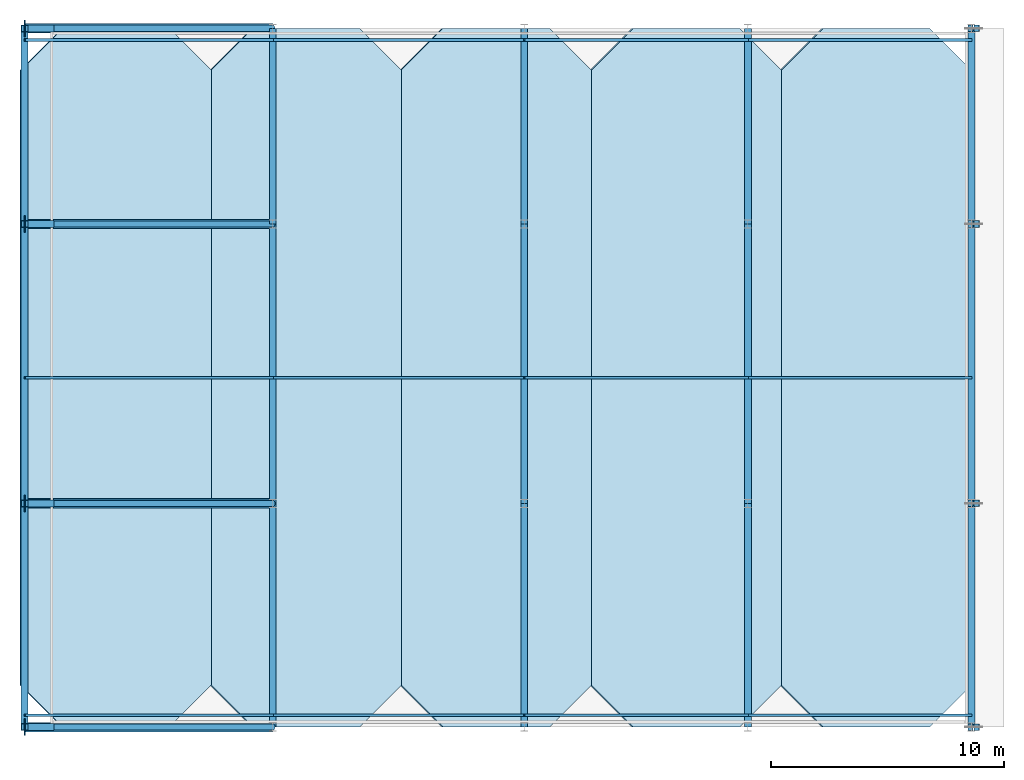
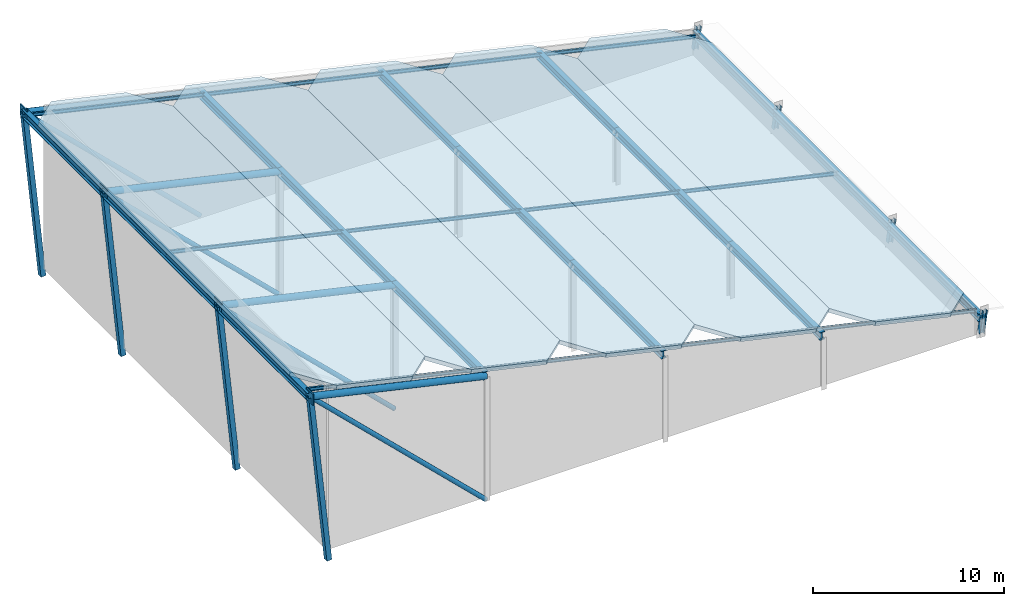
# One storey, part 2 of 4: 28 members, 15 beams, 5 slabs, 4 plates, 1 element without a shape of its own.
"""IFC4 building model written with IfcOpenShell, lengths in metres."""

from ifc_helpers import new_model, si_unit, direction, frame, origin, origin_2d, place, context, subcontext, project, spatial, polyline, rectangle, hollow_rectangle, hollow_circle, i_section, outline, extrude, material, layer, layer_set, material_profile, profile_set, type_object, element, aggregate, save


model = new_model("IFC4")

# Units and contexts
model_context = context("Model", 3, precision=1e-05, world=origin(), true_north=direction((0.0, 1.0)))
body_context = subcontext(model_context, "Body", "Model", "MODEL_VIEW")
ifc_project = project(units=[si_unit("LENGTHUNIT", "METRE"), si_unit("AREAUNIT", "SQUARE_METRE"), si_unit("VOLUMEUNIT", "CUBIC_METRE"), si_unit("PLANEANGLEUNIT", "RADIAN"), si_unit("MASSUNIT", "GRAM", prefix="KILO")], contexts=[model_context])

# Site, building, storey
site_placement = place(None, origin())
site = spatial("IfcSite", under=ifc_project, at=site_placement, CompositionType="ELEMENT")
building_placement = place(site_placement, origin())
building = spatial("IfcBuilding", under=site, at=building_placement, Name="Zereglee Splitstone Museum", CompositionType="ELEMENT")
storey_placement = place(building_placement, frame((0.0, 0.0, 29.699951171875)))
storey = spatial("IfcBuildingStorey", under=building, at=storey_placement, Name="RF", CompositionType="ELEMENT", Elevation=29.699951171875)

# Members
ifc_material_1 = material(Name="Steel S355J2H", Category="steel")
ifc_material_profile_1 = material_profile(ifc_material_1, hollow_circle(Radius=0.136474609375, WallThickness=0.012451171875, at=origin_2d()), Name="CHS 273.0x12.5")
ifc_profile_set_1 = profile_set([ifc_material_profile_1], Name="Steel S355J2H")
member_type_1 = type_object("IfcMemberType", Name="TB-01", PredefinedType="BRACE", material=ifc_profile_set_1)
for number, where, z_axis, x_axis, name in (
    (1, (9.60009765625, 0.0, 0.0), (-0.718353626168, 0.0, 0.695678135183), (0.0, -1.0, 0.0), "Crown Cantilever Raking Brace 1"),
    (2, (9.60009765625, 9.60009765625, 0.0), (-0.718353626168, 0.0, 0.695678135183), (0.0, -1.0, 0.0), "Crown Cantilever Raking Brace 2"),
    (3, (9.60009765625, 21.60009765625, 0.0), (-0.718353626168, 0.0, 0.695678135183), (0.0, -1.0, 0.0), "Crown Cantilever Raking Brace 3"),
    (4, (9.60009765625, 30.0, 0.0), (-0.718353626168, 0.0, 0.695678135183), (0.0, -1.0, 0.0), "Crown Cantilever Raking Brace 4"),
):
    element("IfcMember", number, at=place(storey_placement, frame(where, z_axis=z_axis, x_axis=x_axis)), inside=storey, type_object=member_type_1, Name=name, PredefinedType="BRACE", context=body_context, shape_type="SweptSolid", body=[
        extrude(hollow_circle(Radius=0.136474609375, WallThickness=0.012451171875, at=origin_2d()), origin(), (0.0, 0.0, 1.0), 14.82568359375),
    ])
ifc_material_profile_2 = material_profile(ifc_material_1, hollow_circle(Radius=0.203125, WallThickness=0.02001953125, at=origin_2d()), Name="CHS 406.4x20")
ifc_profile_set_2 = profile_set([ifc_material_profile_2], Name="Steel S355J2H")
member_type_2 = type_object("IfcMemberType", Name="TC-03", PredefinedType="CHORD", material=ifc_profile_set_2)
for number, where, z_axis, x_axis, name in (
    (5, (-1.050048828125, 0.0, 10.31396484375), (0.975505124621, 0.0, -0.219976707491), (0.0, 1.0, 0.0), "Crown Cantilever Raking Top Chord 1"),
    (6, (-1.050048828125, 9.60009765625, 10.31396484375), (0.975505124621, 0.0, -0.219976707491), (0.0, 1.0, 0.0), "Crown Cantilever Raking Top Chord 2"),
    (7, (-1.050048828125, 21.60009765625, 10.31396484375), (0.975505124621, 0.0, -0.219976707491), (0.0, 1.0, 0.0), "Crown Cantilever Raking Top Chord 3"),
    (8, (-1.050048828125, 30.0, 10.31396484375), (0.975505124621, 0.0, -0.219976707491), (0.0, 1.0, 0.0), "Crown Cantilever Raking Top Chord 4"),
):
    element("IfcMember", number, at=place(storey_placement, frame(where, z_axis=z_axis, x_axis=x_axis)), inside=storey, type_object=member_type_2, Name=name, PredefinedType="CHORD", context=body_context, shape_type="SweptSolid", body=[
        extrude(hollow_circle(Radius=0.203125, WallThickness=0.02001953125, at=origin_2d()), origin(), (0.0, 0.0, 1.0), 10.91748046875),
    ])
ifc_material_profile_3 = material_profile(ifc_material_1, hollow_rectangle(XDim=0.300048828125, YDim=0.300048828125, WallThickness=0.01611328125, at=origin_2d()), Name="SHS 300x300x16")
ifc_profile_set_3 = profile_set([ifc_material_profile_3], Name="Steel S355J2H")
member_type_3 = type_object("IfcMemberType", Name="TP-01", PredefinedType="POST", material=ifc_profile_set_3)
for number, where, z_axis, x_axis, name in (
    (9, (0.050048828125, 0.0, -0.47998046875), (-0.1013927938, 0.0, 0.994846471253), (0.0, -1.0, 0.0), "Crown Cantilever Raking West Chord 1"),
    (10, (0.050048828125, 9.60009765625, -0.47998046875), (-0.1013927938, 0.0, 0.994846471253), (0.0, -1.0, 0.0), "Crown Cantilever Raking West Chord 2"),
    (11, (0.050048828125, 21.60009765625, -0.47998046875), (-0.1013927938, 0.0, 0.994846471253), (0.0, -1.0, 0.0), "Crown Cantilever Raking West Chord 3"),
    (12, (0.050048828125, 30.0, -0.47998046875), (-0.1013927938, 0.0, 0.994846471253), (0.0, -1.0, 0.0), "Crown Cantilever Raking West Chord 4"),
):
    element("IfcMember", number, at=place(storey_placement, frame(where, z_axis=z_axis, x_axis=x_axis)), inside=storey, type_object=member_type_3, Name=name, PredefinedType="POST", context=body_context, shape_type="SweptSolid", body=[
        extrude(hollow_rectangle(XDim=0.300048828125, YDim=0.300048828125, WallThickness=0.01611328125, at=origin_2d()), origin(), (0.0, 0.0, 1.0), 10.849853515625),
    ])
ifc_material_2 = material(Name="Steel S355J2", Category="steel")
ifc_material_profile_4 = material_profile(ifc_material_2, i_section(OverallWidth=0.110107421875, OverallDepth=0.219970703125, WebThickness=0.005859375, FlangeThickness=0.00927734375, FilletRadius=0.011962890625, at=origin_2d()), Name="IPE 220")
ifc_profile_set_4 = profile_set([ifc_material_profile_4], Name="Steel S355J2")
member_type_4 = type_object("IfcMemberType", Name="PR-04", PredefinedType="PURLIN", material=ifc_profile_set_4)
for number, where, z_axis, x_axis, name in (
    (13, (-1.050048828125, 0.5, 10.453369140625), (0.975509923076, 0.0, -0.21995542726), (0.0, 1.0, 0.0), "Roof Purlin RF-V1 (-1.1-9.6)"),
    (14, (-1.050048828125, 15.0, 10.453369140625), (0.975509923076, 0.0, -0.21995542726), (0.0, 1.0, 0.0), "Roof Purlin RF-V1 (-1.1-9.6)"),
    (15, (-1.050048828125, 29.5, 10.453369140625), (0.975509923076, 0.0, -0.21995542726), (0.0, 1.0, 0.0), "Roof Purlin RF-V1 (-1.1-9.6)"),
):
    element("IfcMember", number, at=place(storey_placement, frame(where, z_axis=z_axis, x_axis=x_axis)), inside=storey, type_object=member_type_4, Name=name, PredefinedType="PURLIN", context=body_context, shape_type="SweptSolid", body=[
        extrude(i_section(OverallWidth=0.110107421875, OverallDepth=0.219970703125, WebThickness=0.005859375, FlangeThickness=0.00927734375, FilletRadius=0.011962890625, at=origin_2d()), origin(), (0.0, 0.0, 1.0), 10.91748046875),
    ])
for number, where, z_axis, x_axis, name in (
    (16, (9.60009765625, 0.5, 8.052001953125), (0.975506221004, 0.0, -0.219971845432), (0.0, 1.0, 0.0), "Roof Purlin RF-V1 (9.6-20.4)"),
    (17, (9.60009765625, 15.0, 8.052001953125), (0.975506221004, 0.0, -0.219971845432), (0.0, 1.0, 0.0), "Roof Purlin RF-V1 (9.6-20.4)"),
    (18, (9.60009765625, 29.5, 8.052001953125), (0.975506221004, 0.0, -0.219971845432), (0.0, 1.0, 0.0), "Roof Purlin RF-V1 (9.6-20.4)"),
):
    element("IfcMember", number, at=place(storey_placement, frame(where, z_axis=z_axis, x_axis=x_axis)), inside=storey, type_object=member_type_4, Name=name, PredefinedType="PURLIN", context=body_context, shape_type="SweptSolid", body=[
        extrude(i_section(OverallWidth=0.110107421875, OverallDepth=0.219970703125, WebThickness=0.005859375, FlangeThickness=0.00927734375, FilletRadius=0.011962890625, at=origin_2d()), origin(), (0.0, 0.0, 1.0), 11.071044921875),
    ])
for number, where, z_axis, x_axis, name in (
    (19, (20.39990234375, 0.5, 5.61669921875), (0.975505780311, 0.0, -0.219973799756), (0.0, 1.0, 0.0), "Roof Purlin RF-V1 (20.4-30.0)"),
    (20, (20.39990234375, 15.0, 5.61669921875), (0.975505780311, 0.0, -0.219973799756), (0.0, 1.0, 0.0), "Roof Purlin RF-V1 (20.4-30.0)"),
    (21, (20.39990234375, 29.5, 5.61669921875), (0.975505780311, 0.0, -0.219973799756), (0.0, 1.0, 0.0), "Roof Purlin RF-V1 (20.4-30.0)"),
    (22, (30.0, 0.5, 3.451904296875), (0.975511103528, 0.0, -0.219950191849), (0.0, 1.0, 0.0), "Roof Purlin RF-V1 (30.0-39.6)"),
    (23, (30.0, 15.0, 3.451904296875), (0.975511103528, 0.0, -0.219950191849), (0.0, 1.0, 0.0), "Roof Purlin RF-V1 (30.0-39.6)"),
    (24, (30.0, 29.5, 3.451904296875), (0.975511103528, 0.0, -0.219950191849), (0.0, 1.0, 0.0), "Roof Purlin RF-V1 (30.0-39.6)"),
):
    element("IfcMember", number, at=place(storey_placement, frame(where, z_axis=z_axis, x_axis=x_axis)), inside=storey, type_object=member_type_4, Name=name, PredefinedType="PURLIN", context=body_context, shape_type="SweptSolid", body=[
        extrude(i_section(OverallWidth=0.110107421875, OverallDepth=0.219970703125, WebThickness=0.005859375, FlangeThickness=0.00927734375, FilletRadius=0.011962890625, at=origin_2d()), origin(), (0.0, 0.0, 1.0), 9.841064453125),
    ])

# Beams
ifc_material_profile_5 = material_profile(ifc_material_2, i_section(OverallWidth=0.300048828125, OverallDepth=0.5, WebThickness=0.014404296875, FlangeThickness=0.028076171875, FilletRadius=0.027099609375, at=origin_2d()), Name="HE 500 B")
ifc_profile_set_5 = profile_set([ifc_material_profile_5], Name="Steel S355J2")
beam_type = type_object("IfcBeamType", Name="RR-02", PredefinedType="BEAM", material=ifc_profile_set_5)
beam_1_placement = place(storey_placement, frame((9.60009765625, 0.0, 7.912353515625), z_axis=(0.0, 1.0, 0.0), x_axis=(-1.0, 0.0, 0.0)))
element("IfcBeam", 25, at=beam_1_placement, inside=storey, type_object=beam_type, Name="Sloped Roof Girder RF-V1 X=9.6 (0.0-9.6)", PredefinedType="BEAM", context=body_context, shape_type="SweptSolid", body=[
    extrude(i_section(OverallWidth=0.300048828125, OverallDepth=0.5, WebThickness=0.014404296875, FlangeThickness=0.028076171875, FilletRadius=0.027099609375, at=origin_2d()), origin(), (0.0, 0.0, 1.0), 9.60009765625),
])
beam_2_placement = place(storey_placement, frame((9.60009765625, 9.60009765625, 7.912353515625), z_axis=(0.0, 1.0, 0.0), x_axis=(-1.0, 0.0, 0.0)))
element("IfcBeam", 26, at=beam_2_placement, inside=storey, type_object=beam_type, Name="Sloped Roof Girder RF-V1 X=9.6 (9.6-21.6)", PredefinedType="BEAM", context=body_context, shape_type="SweptSolid", body=[
    extrude(i_section(OverallWidth=0.300048828125, OverallDepth=0.5, WebThickness=0.014404296875, FlangeThickness=0.028076171875, FilletRadius=0.027099609375, at=origin_2d()), origin(), (0.0, 0.0, 1.0), 12.0),
])
beam_3_placement = place(storey_placement, frame((9.60009765625, 21.60009765625, 7.912353515625), z_axis=(0.0, 1.0, 0.0), x_axis=(-1.0, 0.0, 0.0)))
element("IfcBeam", 27, at=beam_3_placement, inside=storey, type_object=beam_type, Name="Sloped Roof Girder RF-V1 X=9.6 (21.6-30.0)", PredefinedType="BEAM", context=body_context, shape_type="SweptSolid", body=[
    extrude(i_section(OverallWidth=0.300048828125, OverallDepth=0.5, WebThickness=0.014404296875, FlangeThickness=0.028076171875, FilletRadius=0.027099609375, at=origin_2d()), origin(), (0.0, 0.0, 1.0), 8.39990234375),
])
beam_4_placement = place(storey_placement, frame((20.39990234375, 0.0, 5.47705078125), z_axis=(0.0, 1.0, 0.0), x_axis=(-1.0, 0.0, 0.0)))
element("IfcBeam", 28, at=beam_4_placement, inside=storey, type_object=beam_type, Name="Sloped Roof Girder RF-V1 X=20.4 (0.0-9.6)", PredefinedType="BEAM", context=body_context, shape_type="SweptSolid", body=[
    extrude(i_section(OverallWidth=0.300048828125, OverallDepth=0.5, WebThickness=0.014404296875, FlangeThickness=0.028076171875, FilletRadius=0.027099609375, at=origin_2d()), origin(), (0.0, 0.0, 1.0), 9.60009765625),
])
beam_5_placement = place(storey_placement, frame((20.39990234375, 9.60009765625, 5.47705078125), z_axis=(0.0, 1.0, 0.0), x_axis=(-1.0, 0.0, 0.0)))
element("IfcBeam", 29, at=beam_5_placement, inside=storey, type_object=beam_type, Name="Sloped Roof Girder RF-V1 X=20.4 (9.6-21.6)", PredefinedType="BEAM", context=body_context, shape_type="SweptSolid", body=[
    extrude(i_section(OverallWidth=0.300048828125, OverallDepth=0.5, WebThickness=0.014404296875, FlangeThickness=0.028076171875, FilletRadius=0.027099609375, at=origin_2d()), origin(), (0.0, 0.0, 1.0), 12.0),
])
beam_6_placement = place(storey_placement, frame((20.39990234375, 21.60009765625, 5.47705078125), z_axis=(0.0, 1.0, 0.0), x_axis=(-1.0, 0.0, 0.0)))
element("IfcBeam", 30, at=beam_6_placement, inside=storey, type_object=beam_type, Name="Sloped Roof Girder RF-V1 X=20.4 (21.6-30.0)", PredefinedType="BEAM", context=body_context, shape_type="SweptSolid", body=[
    extrude(i_section(OverallWidth=0.300048828125, OverallDepth=0.5, WebThickness=0.014404296875, FlangeThickness=0.028076171875, FilletRadius=0.027099609375, at=origin_2d()), origin(), (0.0, 0.0, 1.0), 8.39990234375),
])
beam_7_placement = place(storey_placement, frame((30.0, 0.0, 3.3125), z_axis=(0.0, 1.0, 0.0), x_axis=(-1.0, 0.0, 0.0)))
element("IfcBeam", 31, at=beam_7_placement, inside=storey, type_object=beam_type, Name="Sloped Roof Girder RF-V1 X=30.0 (0.0-9.6)", PredefinedType="BEAM", context=body_context, shape_type="SweptSolid", body=[
    extrude(i_section(OverallWidth=0.300048828125, OverallDepth=0.5, WebThickness=0.014404296875, FlangeThickness=0.028076171875, FilletRadius=0.027099609375, at=origin_2d()), origin(), (0.0, 0.0, 1.0), 9.60009765625),
])
beam_8_placement = place(storey_placement, frame((30.0, 9.60009765625, 3.3125), z_axis=(0.0, 1.0, 0.0), x_axis=(-1.0, 0.0, 0.0)))
element("IfcBeam", 32, at=beam_8_placement, inside=storey, type_object=beam_type, Name="Sloped Roof Girder RF-V1 X=30.0 (9.6-21.6)", PredefinedType="BEAM", context=body_context, shape_type="SweptSolid", body=[
    extrude(i_section(OverallWidth=0.300048828125, OverallDepth=0.5, WebThickness=0.014404296875, FlangeThickness=0.028076171875, FilletRadius=0.027099609375, at=origin_2d()), origin(), (0.0, 0.0, 1.0), 12.0),
])
beam_9_placement = place(storey_placement, frame((30.0, 21.60009765625, 3.3125), z_axis=(0.0, 1.0, 0.0), x_axis=(-1.0, 0.0, 0.0)))
element("IfcBeam", 33, at=beam_9_placement, inside=storey, type_object=beam_type, Name="Sloped Roof Girder RF-V1 X=30.0 (21.6-30.0)", PredefinedType="BEAM", context=body_context, shape_type="SweptSolid", body=[
    extrude(i_section(OverallWidth=0.300048828125, OverallDepth=0.5, WebThickness=0.014404296875, FlangeThickness=0.028076171875, FilletRadius=0.027099609375, at=origin_2d()), origin(), (0.0, 0.0, 1.0), 8.39990234375),
])
beam_10_placement = place(storey_placement, frame((39.60009765625, 0.0, 1.147705078125), z_axis=(0.0, 1.0, 0.0), x_axis=(-1.0, 0.0, 0.0)))
element("IfcBeam", 34, at=beam_10_placement, inside=storey, type_object=beam_type, Name="Sloped Roof Girder RF-V1 X=39.6 (0.0-9.6)", PredefinedType="BEAM", context=body_context, shape_type="SweptSolid", body=[
    extrude(i_section(OverallWidth=0.300048828125, OverallDepth=0.5, WebThickness=0.014404296875, FlangeThickness=0.028076171875, FilletRadius=0.027099609375, at=origin_2d()), origin(), (0.0, 0.0, 1.0), 9.60009765625),
])
beam_11_placement = place(storey_placement, frame((39.60009765625, 9.60009765625, 1.147705078125), z_axis=(0.0, 1.0, 0.0), x_axis=(-1.0, 0.0, 0.0)))
element("IfcBeam", 35, at=beam_11_placement, inside=storey, type_object=beam_type, Name="Sloped Roof Girder RF-V1 X=39.6 (9.6-21.6)", PredefinedType="BEAM", context=body_context, shape_type="SweptSolid", body=[
    extrude(i_section(OverallWidth=0.300048828125, OverallDepth=0.5, WebThickness=0.014404296875, FlangeThickness=0.028076171875, FilletRadius=0.027099609375, at=origin_2d()), origin(), (0.0, 0.0, 1.0), 12.0),
])
beam_12_placement = place(storey_placement, frame((39.60009765625, 21.60009765625, 1.147705078125), z_axis=(0.0, 1.0, 0.0), x_axis=(-1.0, 0.0, 0.0)))
element("IfcBeam", 36, at=beam_12_placement, inside=storey, type_object=beam_type, Name="Sloped Roof Girder RF-V1 X=39.6 (21.6-30.0)", PredefinedType="BEAM", context=body_context, shape_type="SweptSolid", body=[
    extrude(i_section(OverallWidth=0.300048828125, OverallDepth=0.5, WebThickness=0.014404296875, FlangeThickness=0.028076171875, FilletRadius=0.027099609375, at=origin_2d()), origin(), (0.0, 0.0, 1.0), 8.39990234375),
])
beam_13_placement = place(storey_placement, frame((-1.050048828125, 0.0, 10.31396484375), z_axis=(0.0, 1.0, 0.0), x_axis=(-1.0, 0.0, 0.0)))
element("IfcBeam", 37, at=beam_13_placement, inside=storey, type_object=beam_type, Name="Crown Tip Roof Girder (0.0-9.6)", PredefinedType="BEAM", context=body_context, shape_type="SweptSolid", body=[
    extrude(i_section(OverallWidth=0.300048828125, OverallDepth=0.5, WebThickness=0.014404296875, FlangeThickness=0.028076171875, FilletRadius=0.027099609375, at=origin_2d()), origin(), (0.0, 0.0, 1.0), 9.60009765625),
])
beam_14_placement = place(storey_placement, frame((-1.050048828125, 9.60009765625, 10.31396484375), z_axis=(0.0, 1.0, 0.0), x_axis=(-1.0, 0.0, 0.0)))
element("IfcBeam", 38, at=beam_14_placement, inside=storey, type_object=beam_type, Name="Crown Tip Roof Girder (9.6-21.6)", PredefinedType="BEAM", context=body_context, shape_type="SweptSolid", body=[
    extrude(i_section(OverallWidth=0.300048828125, OverallDepth=0.5, WebThickness=0.014404296875, FlangeThickness=0.028076171875, FilletRadius=0.027099609375, at=origin_2d()), origin(), (0.0, 0.0, 1.0), 12.0),
])
beam_15_placement = place(storey_placement, frame((-1.050048828125, 21.60009765625, 10.31396484375), z_axis=(0.0, 1.0, 0.0), x_axis=(-1.0, 0.0, 0.0)))
element("IfcBeam", 39, at=beam_15_placement, inside=storey, type_object=beam_type, Name="Crown Tip Roof Girder (21.6-30.0)", PredefinedType="BEAM", context=body_context, shape_type="SweptSolid", body=[
    extrude(i_section(OverallWidth=0.300048828125, OverallDepth=0.5, WebThickness=0.014404296875, FlangeThickness=0.028076171875, FilletRadius=0.027099609375, at=origin_2d()), origin(), (0.0, 0.0, 1.0), 8.39990234375),
])

# Members
ifc_material_3 = material(Name="Steel S355J2 architectural chhajja corbel", Category="steel")
ifc_material_profile_6 = material_profile(ifc_material_3, i_section(OverallWidth=0.280029296875, OverallDepth=0.280029296875, WebThickness=0.010498046875, FlangeThickness=0.01806640625, FilletRadius=0.02392578125, at=origin_2d()), Name="HE 280 B")
ifc_profile_set_6 = profile_set([ifc_material_profile_6], Name="Steel S355J2 architectural chhajja corbel")
member_type_5 = type_object("IfcMemberType", Name="FS-C1", PredefinedType="STRUT", material=ifc_profile_set_6)
for number, where, z_axis, x_axis, name in (
    (40, (39.60009765625, 0.0, 0.150146484375), (0.139442656638, 0.0, 0.990230147748), (0.0, 1.0, 0.0), "Mughal Chhajja Corbel Bracket RF-V1 Y=0.0"),
    (41, (39.60009765625, 9.60009765625, 0.150146484375), (0.139442656638, 0.0, 0.990230147748), (0.0, 1.0, 0.0), "Mughal Chhajja Corbel Bracket RF-V1 Y=9.6"),
    (42, (39.60009765625, 21.60009765625, 0.150146484375), (0.139442656638, 0.0, 0.990230147748), (0.0, 1.0, 0.0), "Mughal Chhajja Corbel Bracket RF-V1 Y=21.6"),
    (43, (39.60009765625, 30.0, 0.150146484375), (0.139442656638, 0.0, 0.990230147748), (0.0, 1.0, 0.0), "Mughal Chhajja Corbel Bracket RF-V1 Y=30.0"),
):
    element("IfcMember", number, at=place(storey_placement, frame(where, z_axis=z_axis, x_axis=x_axis)), inside=storey, type_object=member_type_5, Name=name, PredefinedType="STRUT", context=body_context, shape_type="SweptSolid", body=[
        extrude(i_section(OverallWidth=0.280029296875, OverallDepth=0.280029296875, WebThickness=0.010498046875, FlangeThickness=0.01806640625, FilletRadius=0.02392578125, at=origin_2d()), origin(), (0.0, 0.0, 1.0), 1.433837890625),
    ])

# Plates
ifc_layer_1 = layer(ifc_material_2, 0.06005859375)
ifc_layer_set_1 = layer_set([ifc_layer_1], Name="Steel S355J2")
plate_type = type_object("IfcPlateType", Name="NP-01", PredefinedType="SHEET", material=ifc_layer_set_1)
for number, where, z_axis, x_axis, name in (
    (44, (-1.050048828125, 0.0, 9.9541015625), (0.0, 0.0, 1.0), (1.0, 0.0, 0.0), "Crown Tip Node Seal Plate 1"),
    (45, (-1.050048828125, 9.60009765625, 9.9541015625), (0.0, 0.0, 1.0), (1.0, 0.0, 0.0), "Crown Tip Node Seal Plate 2"),
    (46, (-1.050048828125, 21.60009765625, 9.9541015625), (0.0, 0.0, 1.0), (1.0, 0.0, 0.0), "Crown Tip Node Seal Plate 3"),
    (47, (-1.050048828125, 30.0, 9.9541015625), (0.0, 0.0, 1.0), (1.0, 0.0, 0.0), "Crown Tip Node Seal Plate 4"),
):
    element("IfcPlate", number, at=place(storey_placement, frame(where, z_axis=z_axis, x_axis=x_axis)), inside=storey, type_object=plate_type, Name=name, PredefinedType="SHEET", context=body_context, shape_type="SweptSolid", body=[
        extrude(rectangle(XDim=0.06005859375, YDim=0.719970703125, at=origin_2d()), origin(), (0.0, 0.0, 1.0), 0.719970703125),
    ])

# Roof, slabs
ifc_material_4 = material(Name="Standing-seam zinc roofing on Concrete C35/45", Category="concrete")
ifc_layer_2 = layer(ifc_material_4, 0.219970703125)
ifc_layer_set_2 = layer_set([ifc_layer_2], Name="Concrete C35/45")
roof_type = type_object("IfcRoofType", Name="RF-A1", PredefinedType="SHED_ROOF", material=ifc_layer_set_2)
roof_placement = place(storey_placement, origin())
roof = element("IfcRoof", 48, at=roof_placement, inside=storey, type_object=roof_type, Name="Sloping Split-Rock Roof Assembly RF-V1", PredefinedType="SHED_ROOF")
ifc_material_5 = material(Name="Concrete C35/45", Category="concrete")
ifc_layer_3 = layer(ifc_material_5, 0.239990234375)
ifc_layer_set_3 = layer_set([ifc_layer_3], Name="Concrete C35/45")
slab_type = type_object("IfcSlabType", Name="RS-01", PredefinedType="ROOF", material=ifc_layer_set_3)
slab_1_placement = place(storey_placement, frame((0.59521484375, 0.0, 10.4453125), z_axis=(0.219980004339, 0.0, 0.975504381175), x_axis=(0.975504381175, 0.0, -0.219980004339)))
slab_1 = element("IfcSlab", 49, at=slab_1_placement, type_object=slab_type, Name="Split-Rock Roof Slab RF-V1 Panel 1", PredefinedType="ROOF", context=body_context, shape_type="SweptSolid", body=[
    extrude(outline(polyline([(0.0, 0.0), (4.68433864764687, 0.0), (6.524575601253206, 1.7951660156250004), (6.524575601253206, 28.204833984375007), (4.68433864764687, 30.000000000000007), (0.0, 30.000000000000007), (-1.8402369536063363, 28.204833984375007), (-1.8402369536063363, 1.7951660156250004), (0.0, 0.0)])), origin(), (0.0, 0.0, -1.0), 0.239990234375),
])
slab_2_placement = place(storey_placement, frame((8.755126953125, 0.0, 8.605224609375), z_axis=(0.219945431997, 0.0, 0.975512176728), x_axis=(0.975512176728, 0.0, -0.219945431997)))
slab_2 = element("IfcSlab", 50, at=slab_2_placement, type_object=slab_type, Name="Split-Rock Roof Slab RF-V1 Panel 2", PredefinedType="ROOF", context=body_context, shape_type="SweptSolid", body=[
    extrude(outline(polyline([(0.0, 0.0), (4.6842849450283754, 0.0), (6.524760060727879, 1.795166015625), (6.524760060727879, 28.204833984375), (4.6842849450283754, 30.0), (0.0, 30.0), (-1.8402369535469822, 28.204833984375), (-1.8402369535469822, 1.795166015625), (0.0, 0.0)])), origin(), (0.0, 0.0, -1.0), 0.239990234375),
])
slab_3_placement = place(storey_placement, frame((16.915283203125, 0.0, 6.76513671875), z_axis=(0.219978297418, 0.0, 0.97550476609), x_axis=(0.97550476609, 0.0, -0.219978297418)))
slab_3 = element("IfcSlab", 51, at=slab_3_placement, type_object=slab_type, Name="Split-Rock Roof Slab RF-V1 Panel 3", PredefinedType="ROOF", context=body_context, shape_type="SweptSolid", body=[
    extrude(outline(polyline([(0.0, 0.0), (4.684284941898901, 0.0), (6.52452189555655, 1.795166015625), (6.52452189555655, 28.204833984375), (4.684284941898901, 30.0), (0.0, 30.0), (-1.8402906592966657, 28.204833984375), (-1.8402906592966657, 1.795166015625), (0.0, 0.0)])), origin(), (0.0, 0.0, -1.0), 0.239990234375),
])
slab_4_placement = place(storey_placement, frame((25.0751953125, 0.0, 4.92529296875), z_axis=(0.219980004339, 0.0, 0.975504381175), x_axis=(0.975504381175, 0.0, -0.219980004339)))
slab_4 = element("IfcSlab", 52, at=slab_4_placement, type_object=slab_type, Name="Split-Rock Roof Slab RF-V1 Panel 4", PredefinedType="ROOF", context=body_context, shape_type="SweptSolid", body=[
    extrude(outline(polyline([(0.0, 0.0), (4.68433864764687, 0.0), (6.524575601253206, 1.7951660156250004), (6.524575601253206, 28.204833984375007), (4.68433864764687, 30.000000000000007), (0.0, 30.000000000000007), (-1.8402369536063363, 28.204833984375007), (-1.8402369536063363, 1.7951660156250004), (0.0, 0.0)])), origin(), (0.0, 0.0, -1.0), 0.239990234375),
])
slab_5_placement = place(storey_placement, frame((33.235107421875, 0.0, 3.085205078125), z_axis=(0.219945431997, 0.0, 0.975512176728), x_axis=(0.975512176728, 0.0, -0.219945431997)))
slab_5 = element("IfcSlab", 53, at=slab_5_placement, type_object=slab_type, Name="Split-Rock Roof Slab RF-V1 Panel 5", PredefinedType="ROOF", context=body_context, shape_type="SweptSolid", body=[
    extrude(outline(polyline([(0.0, 0.0), (4.6842849450283754, 0.0), (6.524760060727879, 1.795166015625), (6.524760060727879, 28.204833984375), (4.6842849450283754, 30.0), (0.0, 30.0), (-1.8402369535469822, 28.204833984375), (-1.8402369535469822, 1.795166015625), (0.0, 0.0)])), origin(), (0.0, 0.0, -1.0), 0.239990234375),
])
aggregate(roof, [slab_1, slab_2, slab_3, slab_4, slab_5])

save(model, "model.ifc")
